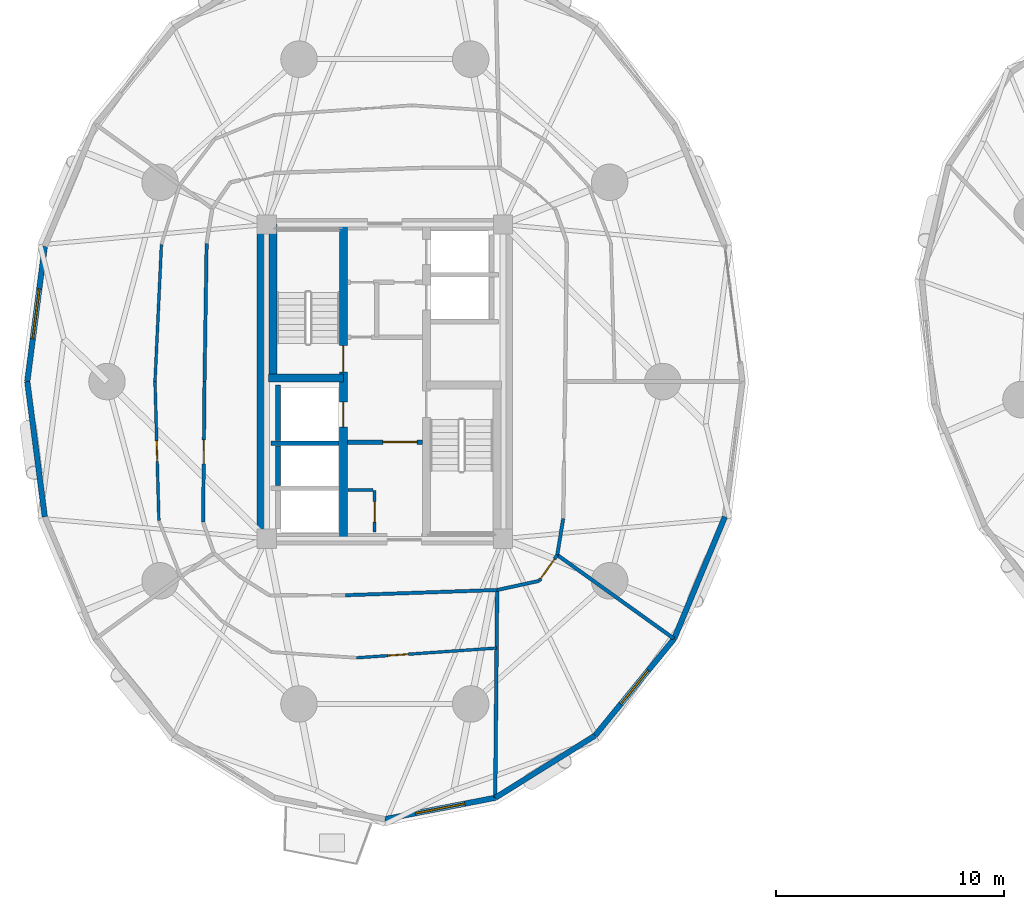
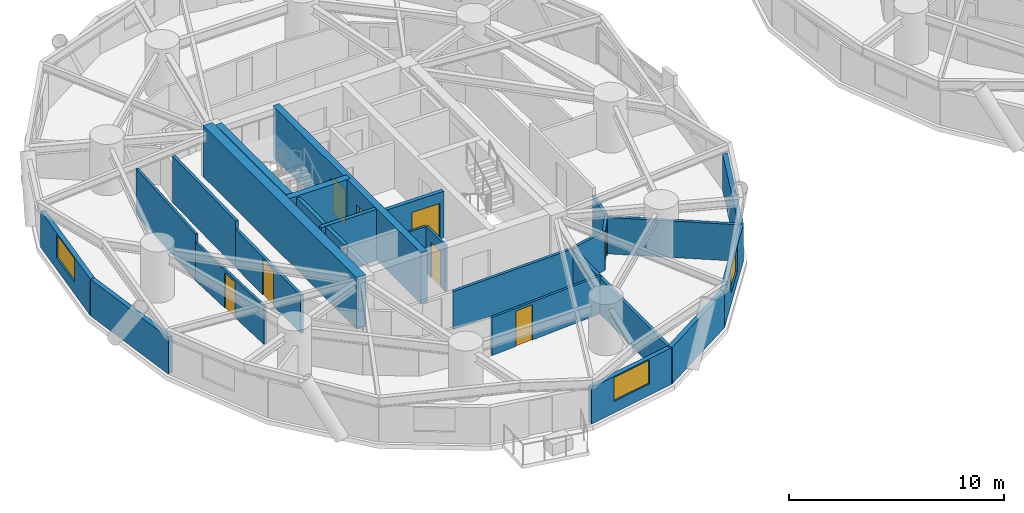
# One storey, part 9 of 17: 27 walls, 8 doors, 3 windows, 11 openings.
"""IFC4 building model written with IfcOpenShell, lengths in metres."""

from ifc_helpers import new_model, si_unit, direction, frame, frame_2d, origin, place, context, subcontext, project, spatial, rectangle, extrude, source, transform, mapped, material, layer, layer_set, type_object, element, fill, save


model = new_model("IFC4")

# Units and contexts
model_context = context("Model", 3, precision=1e-05, world=origin(), true_north=direction((0.0, 1.0)))
body_context = subcontext(model_context, "Body", "Model", "MODEL_VIEW")
ifc_project = project(units=[si_unit("LENGTHUNIT", "METRE"), si_unit("AREAUNIT", "SQUARE_METRE"), si_unit("VOLUMEUNIT", "CUBIC_METRE"), si_unit("PLANEANGLEUNIT", "RADIAN"), si_unit("MASSUNIT", "GRAM", prefix="KILO")], contexts=[model_context])

# Site, building, storey
site_placement = place(None, origin())
site = spatial("IfcSite", under=ifc_project, at=site_placement, CompositionType="ELEMENT")
building_placement = place(site_placement, origin())
building = spatial("IfcBuilding", under=site, at=building_placement, Name="Cununo Teusaquillo Station Towers", CompositionType="ELEMENT")
storey_placement = place(building_placement, frame((0.0, 0.0, 59.830078125)))
storey = spatial("IfcBuildingStorey", under=building, at=storey_placement, Name="L18", CompositionType="ELEMENT", Elevation=59.830078125)

# Walls
ifc_material_1 = material(Name="Concrete C50/60", Category="concrete")
ifc_layer_1 = layer(ifc_material_1, 0.199951171875)
ifc_layer_set_1 = layer_set([ifc_layer_1], Name="Concrete C50/60")
wall_type_1 = type_object("IfcWallType", Name="WL-CORE-200", PredefinedType="SHEAR", material=ifc_layer_set_1)
wall_1_placement = place(storey_placement, frame((11.52001953125, 21.800048828125, 0.0), z_axis=(0.0, 0.0, 1.0), x_axis=(1.0, 0.0, 0.0)))
element("IfcWall", 1, at=wall_1_placement, inside=storey, type_object=wall_type_1, Name="L18 Tower A Firefighting Lift Shaft South Shear Wall", PredefinedType="SHEAR", context=body_context, shape_type="SweptSolid", body=[
    extrude(rectangle(XDim=2.969970703125, YDim=0.199951171875, at=frame_2d((1.48486328125, 0.0))), origin(), (0.0, 0.0, 1.0), 2.909912109375),
])
wall_2_placement = place(storey_placement, frame((11.820068359375, 21.919921875, 0.0), z_axis=(0.0, 0.0, 1.0), x_axis=(0.0, 1.0, 0.0)))
element("IfcWall", 2, at=wall_2_placement, inside=storey, type_object=wall_type_1, Name="L18 Tower A Firefighting Lift Shaft Rear Shear Wall", PredefinedType="SHEAR", context=body_context, shape_type="SweptSolid", body=[
    extrude(rectangle(XDim=2.440185546875, YDim=0.199951171875, at=frame_2d((1.22021484375, 0.0))), origin(), (0.0, 0.0, 1.0), 2.909912109375),
])
wall_3_placement = place(storey_placement, frame((11.820068359375, 19.945068359375, 0.0), z_axis=(0.0, 0.0, 1.0), x_axis=(0.0, 1.0, 0.0)))
element("IfcWall", 3, at=wall_3_placement, inside=storey, type_object=wall_type_1, Name="L18 Tower A High-Rise Lift 2 Shaft Rear Shear Wall", PredefinedType="SHEAR", context=body_context, shape_type="SweptSolid", body=[
    extrude(rectangle(XDim=1.73486328125, YDim=0.199951171875, at=frame_2d((0.867431640625, 0.0))), origin(), (0.0, 0.0, 1.0), 2.909912109375),
])

# Wall, openings, doors
ifc_material_2 = material(Name="Concrete C50/60", Category="concrete")
ifc_layer_2 = layer(ifc_material_2, 0.35009765625)
ifc_layer_set_2 = layer_set([ifc_layer_2], Name="Concrete C50/60")
wall_type_2 = type_object("IfcWallType", Name="WL-CORE-350", PredefinedType="SHEAR", material=ifc_layer_set_2)
wall_4_placement = place(storey_placement, frame((14.68505859375, 17.60009765625, 0.0), z_axis=(0.0, 0.0, 1.0), x_axis=(0.0, 1.0, 0.0)))
wall_4 = element("IfcWall", 4, at=wall_4_placement, inside=storey, type_object=wall_type_2, Name="L18 Tower A Core Shear Wall IW", PredefinedType="SHEAR", context=body_context, shape_type="SweptSolid", body=[
    extrude(rectangle(XDim=13.7998046875, YDim=0.35009765625, at=frame_2d((6.89990234375, 0.0))), origin(), (0.0, 0.0, 1.0), 2.909912109375),
])
shared_shape_1 = source(origin(), body_context, "Body", "SweptSolid", [
    extrude(rectangle(XDim=1.10009765625, YDim=2.014892578125, at=frame_2d((0.550048828125, 1.00732421875))), frame((0.0, 0.18505859375, 0.0), z_axis=(0.0, -1.0, 0.0), x_axis=(1.0, 0.0, 0.0)), (0.0, 0.0, 1.0), 0.3701171875),
])
opening_1_placement = place(wall_4_placement, frame((4.89990234375, 0.0, 0.0)))
opening_1 = element("IfcOpeningElement", 5, at=opening_1_placement, cuts=wall_4, Name="Opening LD-01", PredefinedType="OPENING", context=body_context, shape_type="MappedRepresentation", body=[
    mapped(shared_shape_1, transform((0.0, 0.0, 0.0), x_axis=(1.0, 0.0, 0.0), y_axis=(0.0, 1.0, 0.0), z_axis=(0.0, 0.0, 1.0), scale=1.0)),
])
shared_shape_2 = source(origin(), body_context, "Body", "SweptSolid", [
    extrude(rectangle(XDim=1.14990234375, YDim=2.02001953125, at=frame_2d((0.574951171875, 1.010009765625))), frame((0.0, 0.18505859375, 0.0), z_axis=(0.0, -1.0, 0.0), x_axis=(1.0, 0.0, 0.0)), (0.0, 0.0, 1.0), 0.3701171875),
])
opening_2_placement = place(wall_4_placement, frame((7.320068359375, 0.0, 0.0)))
opening_2 = element("IfcOpeningElement", 6, at=opening_2_placement, cuts=wall_4, Name="Opening D-ST1", PredefinedType="OPENING", context=body_context, shape_type="MappedRepresentation", body=[
    mapped(shared_shape_2, transform((0.0, 0.0, 0.0), x_axis=(1.0, 0.0, 0.0), y_axis=(0.0, 1.0, 0.0), z_axis=(0.0, 0.0, 1.0), scale=1.0)),
])
ifc_material_3 = material(Name="Galvanised fire-rated hollow steel door assembly", Category="steel")
door_type_1 = type_object("IfcDoorType", Name="DR-LIFT-1100", OperationType="SLIDING_TO_LEFT", PredefinedType="DOOR", material=ifc_material_3)
shared_shape_3 = source(origin(), body_context, "Body", "SweptSolid", [
    extrude(rectangle(XDim=1.10009765625, YDim=2.014892578125, at=frame_2d((0.550048828125, 1.00732421875))), frame((0.0, 0.02490234375, 0.0), z_axis=(0.0, -1.0, 0.0), x_axis=(1.0, 0.0, 0.0)), (0.0, 0.0, 1.0), 0.050048828125),
])
door_1_placement = place(opening_1_placement, origin())
door_1 = element("IfcDoor", 7, at=door_1_placement, inside=storey, type_object=door_type_1, Name="L18 Lift FL-T1 Sliding Landing Door", OperationType="SLIDING_TO_LEFT", OverallHeight=2.014892578125, OverallWidth=1.10009765625, PredefinedType="DOOR", context=body_context, shape_type="MappedRepresentation", body=[
    mapped(shared_shape_3, transform((0.0, 0.0, 0.0), x_axis=(1.0, 0.0, 0.0), y_axis=(0.0, 1.0, 0.0), z_axis=(0.0, 0.0, 1.0), scale=1.0)),
])
fill(opening_1, door_1)
ifc_material_4 = material(Name="Galvanised fire-rated hollow steel door assembly", Category="steel")
door_type_2 = type_object("IfcDoorType", Name="DR-STAIR-1150", OperationType="NOTDEFINED", PredefinedType="DOOR", material=ifc_material_4)
shared_shape_4 = source(origin(), body_context, "Body", "SweptSolid", [
    extrude(rectangle(XDim=1.14990234375, YDim=2.02001953125, at=frame_2d((0.574951171875, 1.010009765625))), frame((0.0, 0.02490234375, 0.0), z_axis=(0.0, -1.0, 0.0), x_axis=(1.0, 0.0, 0.0)), (0.0, 0.0, 1.0), 0.050048828125),
])
door_2_placement = place(opening_2_placement, origin())
door_2 = element("IfcDoor", 8, at=door_2_placement, inside=storey, type_object=door_type_2, Name="L18 Tower A Exit Stair 1 Fire Door", OperationType="SINGLE_SWING_RIGHT", OverallHeight=2.02001953125, OverallWidth=1.14990234375, PredefinedType="DOOR", context=body_context, shape_type="MappedRepresentation", body=[
    mapped(shared_shape_4, transform((0.0, 0.0, 0.0), x_axis=(1.0, 0.0, 0.0), y_axis=(0.0, 1.0, 0.0), z_axis=(0.0, 0.0, 1.0), scale=1.0)),
])
fill(opening_2, door_2)

# Walls
wall_5_placement = place(storey_placement, frame((11.594970703125, 24.655029296875, 0.0), z_axis=(0.0, 0.0, 1.0), x_axis=(0.0, 1.0, 0.0)))
element("IfcWall", 9, at=wall_5_placement, inside=storey, type_object=wall_type_2, Name="L18 Tower A Core Shear Wall ST1W", PredefinedType="SHEAR", context=body_context, shape_type="SweptSolid", body=[
    extrude(rectangle(XDim=6.744873046875, YDim=0.35009765625, at=frame_2d((3.37255859375, 0.0))), origin(), (0.0, 0.0, 1.0), 2.909912109375),
])
wall_6_placement = place(storey_placement, frame((11.39990234375, 24.655029296875, 0.0), z_axis=(0.0, 0.0, 1.0), x_axis=(1.0, 0.0, 0.0)))
element("IfcWall", 10, at=wall_6_placement, inside=storey, type_object=wall_type_2, Name="L18 Tower A Core Shear Wall ST1S", PredefinedType="SHEAR", context=body_context, shape_type="SweptSolid", body=[
    extrude(rectangle(XDim=3.28515625, YDim=0.35009765625, at=frame_2d((1.642578125, 0.0))), origin(), (0.0, 0.0, 1.0), 2.909912109375),
])
ifc_material_5 = material(Name="Concrete C60/75", Category="concrete")
ifc_layer_3 = layer(ifc_material_5, 0.5)
ifc_layer_set_3 = layer_set([ifc_layer_3], Name="Concrete C60/75")
wall_type_3 = type_object("IfcWallType", Name="WL-CORE-500", PredefinedType="SHEAR", material=ifc_layer_set_3)
wall_7_placement = place(storey_placement, frame((11.14990234375, 17.35009765625, 0.0), z_axis=(0.0, 0.0, 1.0), x_axis=(0.0, 1.0, 0.0)))
element("IfcWall", 11, at=wall_7_placement, inside=storey, type_object=wall_type_3, Name="L18 Tower A Core Shear Wall W", PredefinedType="SHEAR", context=body_context, shape_type="SweptSolid", body=[
    extrude(rectangle(XDim=14.2998046875, YDim=0.5, at=frame_2d((7.14990234375, 0.0))), origin(), (0.0, 0.0, 1.0), 2.909912109375),
])

# Wall, opening, window
ifc_material_6 = material(Name="Precast concrete C40/50", Category="concrete")
ifc_layer_4 = layer(ifc_material_6, 0.239990234375)
ifc_layer_set_4 = layer_set([ifc_layer_4], Name="Precast concrete C40/50")
wall_type_4 = type_object("IfcWallType", Name="WL-EXT-240", PredefinedType="SOLIDWALL", material=ifc_layer_set_4)
wall_8_placement = place(storey_placement, frame((0.8369140625, 24.5, 0.0), z_axis=(0.0, 0.0, 1.0), x_axis=(0.128339641463, 0.991730274031, 0.0)))
wall_8 = element("IfcWall", 12, at=wall_8_placement, inside=storey, type_object=wall_type_4, Name="L18 Tower A Exterior Facade Wall C09", PredefinedType="SOLIDWALL", context=body_context, shape_type="SweptSolid", body=[
    extrude(rectangle(XDim=5.97314453125, YDim=0.239990234375, at=frame_2d((2.986572265625, 0.0))), origin(), (0.0, 0.0, 1.0), 2.072998046875),
])
shared_shape_5 = source(origin(), body_context, "Body", "SweptSolid", [
    extrude(rectangle(XDim=2.199951171875, YDim=1.35009765625, at=frame_2d((1.10009765625, 0.675048828125))), frame((0.0, 0.1298828125, 0.0), z_axis=(0.0, -1.0, 0.0), x_axis=(1.0, 0.0, 0.0)), (0.0, 0.0, 1.0), 0.260009765625),
])
opening_3_placement = place(wall_8_placement, frame((1.886962890625, 0.0, 0.64990234375)))
opening_3 = element("IfcOpeningElement", 13, at=opening_3_placement, cuts=wall_8, Name="Opening WN-01", PredefinedType="OPENING", context=body_context, shape_type="MappedRepresentation", body=[
    mapped(shared_shape_5, transform((0.0, 0.0, 0.0), x_axis=(1.0, 0.0, 0.0), y_axis=(0.0, 1.0, 0.0), z_axis=(0.0, 0.0, 1.0), scale=1.0)),
])
ifc_material_7 = material(Name="Ceramic-fritted dark low-E double glazing", Category="glass")
window_type_1 = type_object("IfcWindowType", Name="WIN-FRIT-2200", PartitioningType="DOUBLE_PANEL_VERTICAL", PredefinedType="WINDOW", material=ifc_material_7)
shared_shape_6 = source(origin(), body_context, "Body", "SweptSolid", [
    extrude(rectangle(XDim=2.199951171875, YDim=1.35009765625, at=frame_2d((1.10009765625, 0.675048828125))), frame((0.0, 0.030029296875, 0.0), z_axis=(0.0, -1.0, 0.0), x_axis=(1.0, 0.0, 0.0)), (0.0, 0.0, 1.0), 0.06005859375),
])
window_1_placement = place(opening_3_placement, origin())
window_1 = element("IfcWindow", 14, at=window_1_placement, inside=storey, type_object=window_type_1, Name="L18 Tower A Facade Window C09", OverallHeight=1.35009765625, OverallWidth=2.199951171875, PartitioningType="DOUBLE_PANEL_VERTICAL", PredefinedType="WINDOW", context=body_context, shape_type="MappedRepresentation", body=[
    mapped(shared_shape_6, transform((0.0, 0.0, 0.0), x_axis=(1.0, 0.0, 0.0), y_axis=(0.0, 1.0, 0.0), z_axis=(0.0, 0.0, 1.0), scale=1.0)),
])
fill(opening_3, window_1)

# Wall
wall_9_placement = place(storey_placement, frame((1.603515625, 18.576171875, 0.0), z_axis=(0.0, 0.0, 1.0), x_axis=(-0.128339641463, 0.991730274031, 0.0)))
element("IfcWall", 15, at=wall_9_placement, inside=storey, type_object=wall_type_4, Name="L18 Tower A Exterior Facade Wall C10", PredefinedType="SOLIDWALL", context=body_context, shape_type="SweptSolid", body=[
    extrude(rectangle(XDim=5.97314453125, YDim=0.239990234375, at=frame_2d((2.986572265625, 0.0))), origin(), (0.0, 0.0, 1.0), 2.072998046875),
])

# Wall, opening, window
wall_10_placement = place(storey_placement, frame((21.340087890625, 6.268310546875, 0.0), z_axis=(0.0, 0.0, 1.0), x_axis=(-0.981725274071, -0.190303668512, 0.0)))
wall_10 = element("IfcWall", 16, at=wall_10_placement, inside=storey, type_object=wall_type_4, Name="L18 Tower A Exterior Facade Wall C15", PredefinedType="SOLIDWALL", context=body_context, shape_type="SweptSolid", body=[
    extrude(rectangle(XDim=4.93017578125, YDim=0.239990234375, at=frame_2d((2.465087890625, 0.0))), origin(), (0.0, 0.0, 1.0), 2.072998046875),
])
opening_4_placement = place(wall_10_placement, frame((1.364990234375, 0.0, 0.64990234375)))
opening_4 = element("IfcOpeningElement", 17, at=opening_4_placement, cuts=wall_10, Name="Opening WN-01", PredefinedType="OPENING", context=body_context, shape_type="MappedRepresentation", body=[
    mapped(shared_shape_5, transform((0.0, 0.0, 0.0), x_axis=(1.0, 0.0, 0.0), y_axis=(0.0, 1.0, 0.0), z_axis=(0.0, 0.0, 1.0), scale=1.0)),
])
window_2_placement = place(opening_4_placement, origin())
window_2 = element("IfcWindow", 18, at=window_2_placement, inside=storey, type_object=window_type_1, Name="L18 Tower A Facade Window C15", OverallHeight=1.35009765625, OverallWidth=2.199951171875, PartitioningType="DOUBLE_PANEL_VERTICAL", PredefinedType="WINDOW", context=body_context, shape_type="MappedRepresentation", body=[
    mapped(shared_shape_6, transform((0.0, 0.0, 0.0), x_axis=(1.0, 0.0, 0.0), y_axis=(0.0, 1.0, 0.0), z_axis=(0.0, 0.0, 1.0), scale=1.0)),
])
fill(opening_4, window_2)

# Wall
wall_11_placement = place(storey_placement, frame((25.70654296875, 8.9912109375, 0.0), z_axis=(0.0, 0.0, 1.0), x_axis=(-0.848533613342, -0.529141481107, 0.0)))
element("IfcWall", 19, at=wall_11_placement, inside=storey, type_object=wall_type_4, Name="L18 Tower A Exterior Facade Wall C16", PredefinedType="SOLIDWALL", context=body_context, shape_type="SweptSolid", body=[
    extrude(rectangle(XDim=5.14599609375, YDim=0.239990234375, at=frame_2d((2.572998046875, 0.0))), origin(), (0.0, 0.0, 1.0), 2.072998046875),
])

# Wall, opening, window
wall_12_placement = place(storey_placement, frame((29.171630859375, 13.232177734375, 0.0), z_axis=(0.0, 0.0, 1.0), x_axis=(-0.632713287022, -0.77438614168, 0.0)))
wall_12 = element("IfcWall", 20, at=wall_12_placement, inside=storey, type_object=wall_type_4, Name="L18 Tower A Exterior Facade Wall C17", PredefinedType="SOLIDWALL", context=body_context, shape_type="SweptSolid", body=[
    extrude(rectangle(XDim=5.4765625, YDim=0.239990234375, at=frame_2d((2.73828125, 0.0))), origin(), (0.0, 0.0, 1.0), 2.072998046875),
])
shared_shape_7 = source(origin(), body_context, "Body", "SweptSolid", [
    extrude(rectangle(XDim=1.89990234375, YDim=1.35009765625, at=frame_2d((0.949951171875, 0.675048828125))), frame((0.0, 0.1298828125, 0.0), z_axis=(0.0, -1.0, 0.0), x_axis=(1.0, 0.0, 0.0)), (0.0, 0.0, 1.0), 0.260009765625),
])
opening_5_placement = place(wall_12_placement, frame((1.7880859375, 0.0, 0.64990234375)))
opening_5 = element("IfcOpeningElement", 21, at=opening_5_placement, cuts=wall_12, Name="Opening WN-02", PredefinedType="OPENING", context=body_context, shape_type="MappedRepresentation", body=[
    mapped(shared_shape_7, transform((0.0, 0.0, 0.0), x_axis=(1.0, 0.0, 0.0), y_axis=(0.0, 1.0, 0.0), z_axis=(0.0, 0.0, 1.0), scale=1.0)),
])
ifc_material_8 = material(Name="Operable acoustic tinted low-E double glazing", Category="glass")
window_type_2 = type_object("IfcWindowType", Name="WIN-OPER-1900", PartitioningType="DOUBLE_PANEL_VERTICAL", PredefinedType="WINDOW", material=ifc_material_8)
shared_shape_8 = source(origin(), body_context, "Body", "SweptSolid", [
    extrude(rectangle(XDim=1.89990234375, YDim=1.35009765625, at=frame_2d((0.949951171875, 0.675048828125))), frame((0.0, 0.030029296875, 0.0), z_axis=(0.0, -1.0, 0.0), x_axis=(1.0, 0.0, 0.0)), (0.0, 0.0, 1.0), 0.06005859375),
])
window_3_placement = place(opening_5_placement, origin())
window_3 = element("IfcWindow", 22, at=window_3_placement, inside=storey, type_object=window_type_2, Name="L18 Tower A Facade Window C17", OverallHeight=1.35009765625, OverallWidth=1.89990234375, PartitioningType="DOUBLE_PANEL_VERTICAL", PredefinedType="WINDOW", context=body_context, shape_type="MappedRepresentation", body=[
    mapped(shared_shape_8, transform((0.0, 0.0, 0.0), x_axis=(1.0, 0.0, 0.0), y_axis=(0.0, 1.0, 0.0), z_axis=(0.0, 0.0, 1.0), scale=1.0)),
])
fill(opening_5, window_3)

# Wall
wall_13_placement = place(storey_placement, frame((31.396484375, 18.576171875, 0.0), z_axis=(0.0, 0.0, 1.0), x_axis=(-0.384348836956, -0.923187939442, 0.0)))
element("IfcWall", 23, at=wall_13_placement, inside=storey, type_object=wall_type_4, Name="L18 Tower A Exterior Facade Wall C18", PredefinedType="SOLIDWALL", context=body_context, shape_type="SweptSolid", body=[
    extrude(rectangle(XDim=5.78857421875, YDim=0.239990234375, at=frame_2d((2.894287109375, 0.0))), origin(), (0.0, 0.0, 1.0), 2.072998046875),
])

# Wall, opening, door
ifc_material_9 = material(Name="Fire-rated gypsum plasterboard partition assembly", Category="gypsum")
ifc_layer_5 = layer(ifc_material_9, 0.125)
ifc_layer_set_5 = layer_set([ifc_layer_5], Name="Fire-rated gypsum plasterboard partition assembly")
wall_type_5 = type_object("IfcWallType", Name="WL-PART-125", PredefinedType="PARTITIONING", material=ifc_layer_set_5)
wall_14_placement = place(storey_placement, frame((16.050048828125, 17.919921875, 0.0), z_axis=(0.0, 0.0, 1.0), x_axis=(0.0, 1.0, 0.0)))
wall_14 = element("IfcWall", 24, at=wall_14_placement, inside=storey, type_object=wall_type_5, Name="L18 Tower A South-West Compact Store East Wall", PredefinedType="PARTITIONING", context=body_context, shape_type="SweptSolid", body=[
    extrude(rectangle(XDim=1.800048828125, YDim=0.125, at=frame_2d((0.89990234375, 0.0))), origin(), (0.0, 0.0, 1.0), 2.635009765625),
])
shared_shape_9 = source(origin(), body_context, "Body", "SweptSolid", [
    extrude(rectangle(XDim=0.89990234375, YDim=2.0048828125, at=frame_2d((0.449951171875, 1.00244140625))), frame((0.0, 0.072509765625, 0.0), z_axis=(0.0, -1.0, 0.0), x_axis=(1.0, 0.0, 0.0)), (0.0, 0.0, 1.0), 0.14501953125),
])
opening_6_placement = place(wall_14_placement, frame((0.419921875, 0.0, 0.0)))
opening_6 = element("IfcOpeningElement", 25, at=opening_6_placement, cuts=wall_14, Name="Opening D-SR1", PredefinedType="OPENING", context=body_context, shape_type="MappedRepresentation", body=[
    mapped(shared_shape_9, transform((0.0, 0.0, 0.0), x_axis=(1.0, 0.0, 0.0), y_axis=(0.0, 1.0, 0.0), z_axis=(0.0, 0.0, 1.0), scale=1.0)),
])
ifc_material_10 = material(Name="Galvanised fire-rated hollow steel door assembly", Category="steel")
door_type_3 = type_object("IfcDoorType", Name="DR-STORE-900", OperationType="NOTDEFINED", PredefinedType="DOOR", material=ifc_material_10)
shared_shape_10 = source(origin(), body_context, "Body", "SweptSolid", [
    extrude(rectangle(XDim=0.89990234375, YDim=2.0048828125, at=frame_2d((0.449951171875, 1.00244140625))), frame((0.0, 0.02490234375, 0.0), z_axis=(0.0, -1.0, 0.0), x_axis=(1.0, 0.0, 0.0)), (0.0, 0.0, 1.0), 0.050048828125),
])
door_3_placement = place(opening_6_placement, origin())
door_3 = element("IfcDoor", 26, at=door_3_placement, inside=storey, type_object=door_type_3, Name="L18 Tower A Core Electrical & Comms Store Door", OperationType="SINGLE_SWING_RIGHT", OverallHeight=2.0048828125, OverallWidth=0.89990234375, PredefinedType="DOOR", context=body_context, shape_type="MappedRepresentation", body=[
    mapped(shared_shape_10, transform((0.0, 0.0, 0.0), x_axis=(1.0, 0.0, 0.0), y_axis=(0.0, 1.0, 0.0), z_axis=(0.0, 0.0, 1.0), scale=1.0)),
])
fill(opening_6, door_3)

# Walls
wall_15_placement = place(storey_placement, frame((14.8798828125, 19.75, 0.0), z_axis=(0.0, 0.0, 1.0), x_axis=(1.0, 0.0, 0.0)))
element("IfcWall", 27, at=wall_15_placement, inside=storey, type_object=wall_type_5, Name="L18 Tower A South-West Compact Store North Wall", PredefinedType="PARTITIONING", context=body_context, shape_type="SweptSolid", body=[
    extrude(rectangle(XDim=1.10009765625, YDim=0.125, at=frame_2d((0.550048828125, 0.0))), origin(), (0.0, 0.0, 1.0), 2.635009765625),
])
wall_16_placement = place(storey_placement, frame((6.713134765625, 30.5087890625, 0.0), z_axis=(0.0, 0.0, 1.0), x_axis=(-0.046755247216, -0.998906375422, 0.0)))
element("IfcWall", 28, at=wall_16_placement, inside=storey, type_object=wall_type_5, Name="L18 Tower A Hotel Concierge & Library Club Concentric Partition Wall C09", PredefinedType="PARTITIONING", context=body_context, shape_type="SweptSolid", body=[
    extrude(rectangle(XDim=6.015380859375, YDim=0.125, at=frame_2d((3.0078125, 0.0))), origin(), (0.0, 0.0, 1.0), 2.635009765625),
])

# Wall, opening, door
wall_17_placement = place(storey_placement, frame((6.431884765625, 24.5, 0.0), z_axis=(0.0, 0.0, 1.0), x_axis=(0.027874896751, -0.999611419568, 0.0)))
wall_17 = element("IfcWall", 29, at=wall_17_placement, inside=storey, type_object=wall_type_5, Name="L18 Tower A Hotel Concierge & Library Club Concentric Partition Wall C10", PredefinedType="PARTITIONING", context=body_context, shape_type="SweptSolid", body=[
    extrude(rectangle(XDim=6.095947265625, YDim=0.125, at=frame_2d((3.0478515625, 0.0))), origin(), (0.0, 0.0, 1.0), 2.158935546875),
])
opening_7_placement = place(wall_17_placement, frame((2.597900390625, 0.0, 0.0)))
opening_7 = element("IfcOpeningElement", 30, at=opening_7_placement, cuts=wall_17, Name="Opening D-IN1", PredefinedType="OPENING", context=body_context, shape_type="MappedRepresentation", body=[
    mapped(shared_shape_9, transform((0.0, 0.0, 0.0), x_axis=(1.0, 0.0, 0.0), y_axis=(0.0, 1.0, 0.0), z_axis=(0.0, 0.0, 1.0), scale=1.0)),
])
ifc_material_11 = material(Name="Acoustic solid-core hardwood leaf assembly", Category="wood")
door_type_4 = type_object("IfcDoorType", Name="DR-INT-900", OperationType="NOTDEFINED", PredefinedType="DOOR", material=ifc_material_11)
door_4_placement = place(opening_7_placement, origin())
door_4 = element("IfcDoor", 31, at=door_4_placement, inside=storey, type_object=door_type_4, Name="L18 Tower A Hotel Concierge & Library Club Connecting Door", OperationType="SINGLE_SWING_LEFT", OverallHeight=2.0048828125, OverallWidth=0.89990234375, PredefinedType="DOOR", context=body_context, shape_type="MappedRepresentation", body=[
    mapped(shared_shape_10, transform((0.0, 0.0, 0.0), x_axis=(1.0, 0.0, 0.0), y_axis=(0.0, 1.0, 0.0), z_axis=(0.0, 0.0, 1.0), scale=1.0)),
])
fill(opening_7, door_4)

wall_18_placement = place(storey_placement, frame((15.26220703125, 12.399169921875, 0.0), z_axis=(0.0, 0.0, 1.0), x_axis=(0.997584901562, 0.069457643027, 0.0)))
wall_18 = element("IfcWall", 32, at=wall_18_placement, inside=storey, type_object=wall_type_5, Name="L18 Tower A Hotel Executive Conference Salon Concentric Partition Wall C15", PredefinedType="PARTITIONING", context=body_context, shape_type="SweptSolid", body=[
    extrude(rectangle(XDim=6.147705078125, YDim=0.125, at=frame_2d((3.07373046875, 0.0))), origin(), (0.0, 0.0, 1.0), 2.158935546875),
])
opening_8_placement = place(wall_18_placement, frame((1.371826171875, 0.0, 0.0)))
opening_8 = element("IfcOpeningElement", 33, at=opening_8_placement, cuts=wall_18, Name="Opening D-IN1", PredefinedType="OPENING", context=body_context, shape_type="MappedRepresentation", body=[
    mapped(shared_shape_9, transform((0.0, 0.0, 0.0), x_axis=(1.0, 0.0, 0.0), y_axis=(0.0, 1.0, 0.0), z_axis=(0.0, 0.0, 1.0), scale=1.0)),
])
door_5_placement = place(opening_8_placement, origin())
door_5 = element("IfcDoor", 34, at=door_5_placement, inside=storey, type_object=door_type_4, Name="L18 Tower A Hotel Executive Conference Salon Connecting Door", OperationType="SINGLE_SWING_LEFT", OverallHeight=2.0048828125, OverallWidth=0.89990234375, PredefinedType="DOOR", context=body_context, shape_type="MappedRepresentation", body=[
    mapped(shared_shape_10, transform((0.0, 0.0, 0.0), x_axis=(1.0, 0.0, 0.0), y_axis=(0.0, 1.0, 0.0), z_axis=(0.0, 0.0, 1.0), scale=1.0)),
])
fill(opening_8, door_5)

# Wall
ifc_material_12 = material(Name="Fire-rated gypsum plasterboard partition assembly", Category="gypsum")
ifc_layer_6 = layer(ifc_material_12, 0.14990234375)
ifc_layer_set_6 = layer_set([ifc_layer_6], Name="Fire-rated gypsum plasterboard partition assembly")
wall_type_6 = type_object("IfcWallType", Name="WL-PART-150", PredefinedType="PARTITIONING", material=ifc_layer_set_6)
wall_19_placement = place(storey_placement, frame((8.692626953125, 30.544189453125, 0.0), z_axis=(0.0, 0.0, 1.0), x_axis=(-0.015307007986, -0.99988284089, 0.0)))
element("IfcWall", 35, at=wall_19_placement, inside=storey, type_object=wall_type_6, Name="L18 Tower A Corridor Ring Wall C09", PredefinedType="PARTITIONING", context=body_context, shape_type="SweptSolid", body=[
    extrude(rectangle(XDim=6.044921875, YDim=0.14990234375, at=frame_2d((3.0224609375, 0.0))), origin(), (0.0, 0.0, 1.0), 2.635009765625),
])

# Wall, opening, door
wall_20_placement = place(storey_placement, frame((8.60009765625, 24.5, 0.0), z_axis=(0.0, 0.0, 1.0), x_axis=(-0.010023665349, -0.999949761805, 0.0)))
wall_20 = element("IfcWall", 36, at=wall_20_placement, inside=storey, type_object=wall_type_6, Name="L18 Tower A Corridor Ring Wall C10", PredefinedType="PARTITIONING", context=body_context, shape_type="SweptSolid", body=[
    extrude(rectangle(XDim=6.162109375, YDim=0.14990234375, at=frame_2d((3.0810546875, 0.0))), origin(), (0.0, 0.0, 1.0), 2.158935546875),
])
shared_shape_11 = source(origin(), body_context, "Body", "SweptSolid", [
    extrude(rectangle(XDim=1.050048828125, YDim=2.014892578125, at=frame_2d((0.52490234375, 1.00732421875))), frame((0.0, 0.0849609375, 0.0), z_axis=(0.0, -1.0, 0.0), x_axis=(1.0, 0.0, 0.0)), (0.0, 0.0, 1.0), 0.169921875),
])
opening_9_placement = place(wall_20_placement, frame((2.55615234375, 0.0, 0.0)))
opening_9 = element("IfcOpeningElement", 37, at=opening_9_placement, cuts=wall_20, Name="Opening D-SU1", PredefinedType="OPENING", context=body_context, shape_type="MappedRepresentation", body=[
    mapped(shared_shape_11, transform((0.0, 0.0, 0.0), x_axis=(1.0, 0.0, 0.0), y_axis=(0.0, 1.0, 0.0), z_axis=(0.0, 0.0, 1.0), scale=1.0)),
])
ifc_material_13 = material(Name="Acoustic solid-core hardwood leaf assembly", Category="wood")
door_type_5 = type_object("IfcDoorType", Name="DR-SUITE-1050", OperationType="NOTDEFINED", PredefinedType="DOOR", material=ifc_material_13)
shared_shape_12 = source(origin(), body_context, "Body", "SweptSolid", [
    extrude(rectangle(XDim=1.050048828125, YDim=2.014892578125, at=frame_2d((0.52490234375, 1.00732421875))), frame((0.0, 0.02490234375, 0.0), z_axis=(0.0, -1.0, 0.0), x_axis=(1.0, 0.0, 0.0)), (0.0, 0.0, 1.0), 0.050048828125),
])
door_6_placement = place(opening_9_placement, origin())
door_6 = element("IfcDoor", 38, at=door_6_placement, inside=storey, type_object=door_type_5, Name="L18 Tower A Hotel Concierge & Library Club Entrance Door", OperationType="SINGLE_SWING_RIGHT", OverallHeight=2.014892578125, OverallWidth=1.050048828125, PredefinedType="DOOR", context=body_context, shape_type="MappedRepresentation", body=[
    mapped(shared_shape_12, transform((0.0, 0.0, 0.0), x_axis=(1.0, 0.0, 0.0), y_axis=(0.0, 1.0, 0.0), z_axis=(0.0, 0.0, 1.0), scale=1.0)),
])
fill(opening_9, door_6)

# Walls
wall_21_placement = place(storey_placement, frame((14.781005859375, 15.140625, 0.0), z_axis=(0.0, 0.0, 1.0), x_axis=(0.999407918707, 0.034406569513, 0.0)))
element("IfcWall", 39, at=wall_21_placement, inside=storey, type_object=wall_type_6, Name="L18 Tower A Corridor Ring Wall C15", PredefinedType="PARTITIONING", context=body_context, shape_type="SweptSolid", body=[
    extrude(rectangle(XDim=6.6416015625, YDim=0.14990234375, at=frame_2d((3.32080078125, 0.0))), origin(), (0.0, 0.0, 1.0), 2.158935546875),
])
wall_22_placement = place(storey_placement, frame((21.418701171875, 15.369140625, 0.0), z_axis=(0.0, 0.0, 1.0), x_axis=(0.977192701953, 0.212354475464, 0.0)))
element("IfcWall", 40, at=wall_22_placement, inside=storey, type_object=wall_type_6, Name="L18 Tower A Corridor Ring Wall C16", PredefinedType="PARTITIONING", context=body_context, shape_type="SweptSolid", body=[
    extrude(rectangle(XDim=1.8876953125, YDim=0.14990234375, at=frame_2d((0.94384765625, 0.0))), origin(), (0.0, 0.0, 1.0), 2.204833984375),
])

# Wall, opening, door
wall_23_placement = place(storey_placement, frame((23.263427734375, 15.77001953125, 0.0), z_axis=(0.0, 0.0, 1.0), x_axis=(0.570743456919, 0.821128434768, 0.0)))
wall_23 = element("IfcWall", 41, at=wall_23_placement, inside=storey, type_object=wall_type_6, Name="L18 Tower A Corridor Ring Wall C17", PredefinedType="PARTITIONING", context=body_context, shape_type="SweptSolid", body=[
    extrude(rectangle(XDim=1.381591796875, YDim=0.14990234375, at=frame_2d((0.69091796875, 0.0))), origin(), (0.0, 0.0, 1.0), 2.158935546875),
])
opening_10_placement = place(wall_23_placement, frame((0.1201171875, 0.0, 0.0)))
opening_10 = element("IfcOpeningElement", 42, at=opening_10_placement, cuts=wall_23, Name="Opening D-SU1", PredefinedType="OPENING", context=body_context, shape_type="MappedRepresentation", body=[
    mapped(shared_shape_11, transform((0.0, 0.0, 0.0), x_axis=(1.0, 0.0, 0.0), y_axis=(0.0, 1.0, 0.0), z_axis=(0.0, 0.0, 1.0), scale=1.0)),
])
door_7_placement = place(opening_10_placement, origin())
door_7 = element("IfcDoor", 43, at=door_7_placement, inside=storey, type_object=door_type_5, Name="L18 Tower A Hotel Housekeeping & Linen Pantry Entrance Door", OperationType="SINGLE_SWING_RIGHT", OverallHeight=2.014892578125, OverallWidth=1.050048828125, PredefinedType="DOOR", context=body_context, shape_type="MappedRepresentation", body=[
    mapped(shared_shape_12, transform((0.0, 0.0, 0.0), x_axis=(1.0, 0.0, 0.0), y_axis=(0.0, 1.0, 0.0), z_axis=(0.0, 0.0, 1.0), scale=1.0)),
])
fill(opening_10, door_7)

# Walls
wall_24_placement = place(storey_placement, frame((24.052001953125, 16.904541015625, 0.0), z_axis=(0.0, 0.0, 1.0), x_axis=(0.162091534225, 0.986775726562, 0.0)))
element("IfcWall", 44, at=wall_24_placement, inside=storey, type_object=wall_type_6, Name="L18 Tower A Corridor Ring Wall C18", PredefinedType="PARTITIONING", context=body_context, shape_type="SweptSolid", body=[
    extrude(rectangle(XDim=1.613037109375, YDim=0.14990234375, at=frame_2d((0.806640625, 0.0))), origin(), (0.0, 0.0, 1.0), 2.204833984375),
])
ifc_material_14 = material(Name="Fire-rated gypsum plasterboard partition assembly", Category="gypsum")
ifc_layer_7 = layer(ifc_material_14, 0.159912109375)
ifc_layer_set_7 = layer_set([ifc_layer_7], Name="Fire-rated gypsum plasterboard partition assembly")
wall_type_7 = type_object("IfcWallType", Name="WL-PART-160", PredefinedType="PARTITIONING", material=ifc_layer_set_7)
wall_25_placement = place(storey_placement, frame((21.418701171875, 15.369140625, 0.0), z_axis=(0.0, 0.0, 1.0), x_axis=(-0.009327801925, -0.999956495109, 0.0)))
element("IfcWall", 45, at=wall_25_placement, inside=storey, type_object=wall_type_7, Name="L18 Tower A Radial Suite Partition R05", PredefinedType="PARTITIONING", context=body_context, shape_type="SweptSolid", body=[
    extrude(rectangle(XDim=9.082275390625, YDim=0.159912109375, at=frame_2d((4.541015625, 0.0))), origin(), (0.0, 0.0, 1.0), 2.072998046875),
])
wall_26_placement = place(storey_placement, frame((24.052001953125, 16.904541015625, 0.0), z_axis=(0.0, 0.0, 1.0), x_axis=(0.812581474608, -0.582847619129, 0.0)))
element("IfcWall", 46, at=wall_26_placement, inside=storey, type_object=wall_type_7, Name="L18 Tower A Radial Suite Partition R06", PredefinedType="PARTITIONING", context=body_context, shape_type="SweptSolid", body=[
    extrude(rectangle(XDim=6.280517578125, YDim=0.159912109375, at=frame_2d((3.14013671875, 0.0))), origin(), (0.0, 0.0, 1.0), 2.072998046875),
])

# Wall, opening, door
ifc_material_15 = material(Name="Fire-rated gypsum plasterboard partition assembly", Category="gypsum")
ifc_layer_8 = layer(ifc_material_15, 0.199951171875)
ifc_layer_set_8 = layer_set([ifc_layer_8], Name="Fire-rated gypsum plasterboard partition assembly")
wall_type_8 = type_object("IfcWallType", Name="WL-PART-200", PredefinedType="PARTITIONING", material=ifc_layer_set_8)
wall_27_placement = place(storey_placement, frame((14.860107421875, 21.85009765625, 0.0), z_axis=(0.0, 0.0, 1.0), x_axis=(1.0, 0.0, 0.0)))
wall_27 = element("IfcWall", 47, at=wall_27_placement, inside=storey, type_object=wall_type_8, Name="L18 Tower A Firefighting Lift Lobby South Fire Wall", PredefinedType="PARTITIONING", context=body_context, shape_type="SweptSolid", body=[
    extrude(rectangle(XDim=3.27978515625, YDim=0.199951171875, at=frame_2d((1.639892578125, 0.0))), origin(), (0.0, 0.0, 1.0), 2.635009765625),
])
shared_shape_13 = source(origin(), body_context, "Body", "SweptSolid", [
    extrude(rectangle(XDim=1.5, YDim=2.02001953125, at=frame_2d((0.75, 1.010009765625))), frame((0.0, 0.10986328125, 0.0), z_axis=(0.0, -1.0, 0.0), x_axis=(1.0, 0.0, 0.0)), (0.0, 0.0, 1.0), 0.219970703125),
])
opening_11_placement = place(wall_27_placement, frame((1.550048828125, 0.0, 0.0)))
opening_11 = element("IfcOpeningElement", 48, at=opening_11_placement, cuts=wall_27, Name="Opening D-LB1", PredefinedType="OPENING", context=body_context, shape_type="MappedRepresentation", body=[
    mapped(shared_shape_13, transform((0.0, 0.0, 0.0), x_axis=(1.0, 0.0, 0.0), y_axis=(0.0, 1.0, 0.0), z_axis=(0.0, 0.0, 1.0), scale=1.0)),
])
ifc_material_16 = material(Name="Galvanised fire-rated hollow steel door assembly", Category="steel")
door_type_6 = type_object("IfcDoorType", Name="DR-LOBBY-1500", OperationType="DOUBLE_DOOR_SINGLE_SWING", PredefinedType="DOOR", material=ifc_material_16)
shared_shape_14 = source(origin(), body_context, "Body", "SweptSolid", [
    extrude(rectangle(XDim=1.5, YDim=2.02001953125, at=frame_2d((0.75, 1.010009765625))), frame((0.0, 0.02490234375, 0.0), z_axis=(0.0, -1.0, 0.0), x_axis=(1.0, 0.0, 0.0)), (0.0, 0.0, 1.0), 0.050048828125),
])
door_8_placement = place(opening_11_placement, origin())
door_8 = element("IfcDoor", 49, at=door_8_placement, inside=storey, type_object=door_type_6, Name="L18 Tower A Firefighting Lift Lobby South Fire Door", OperationType="DOUBLE_DOOR_SINGLE_SWING", OverallHeight=2.02001953125, OverallWidth=1.5, PredefinedType="DOOR", context=body_context, shape_type="MappedRepresentation", body=[
    mapped(shared_shape_14, transform((0.0, 0.0, 0.0), x_axis=(1.0, 0.0, 0.0), y_axis=(0.0, 1.0, 0.0), z_axis=(0.0, 0.0, 1.0), scale=1.0)),
])
fill(opening_11, door_8)

save(model, "model.ifc")
